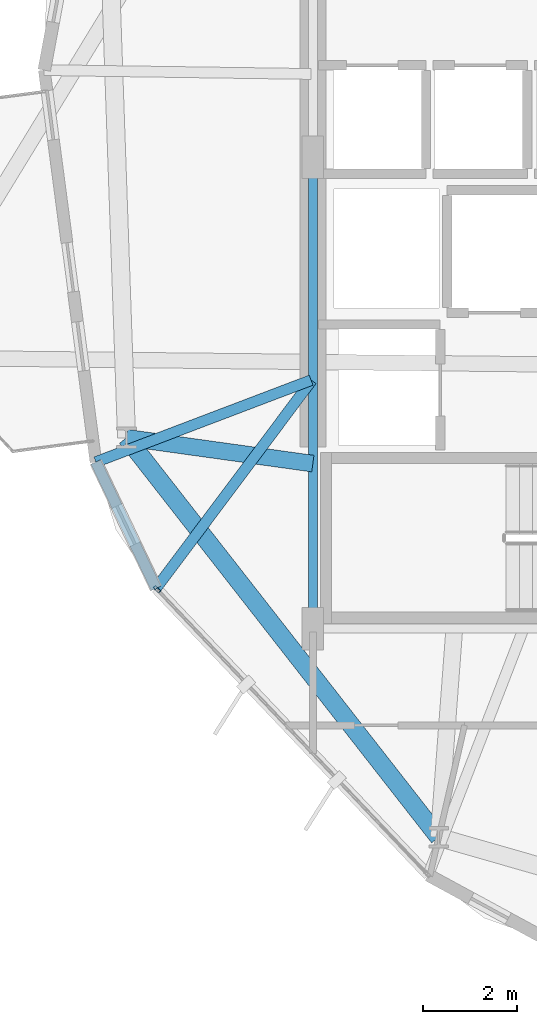
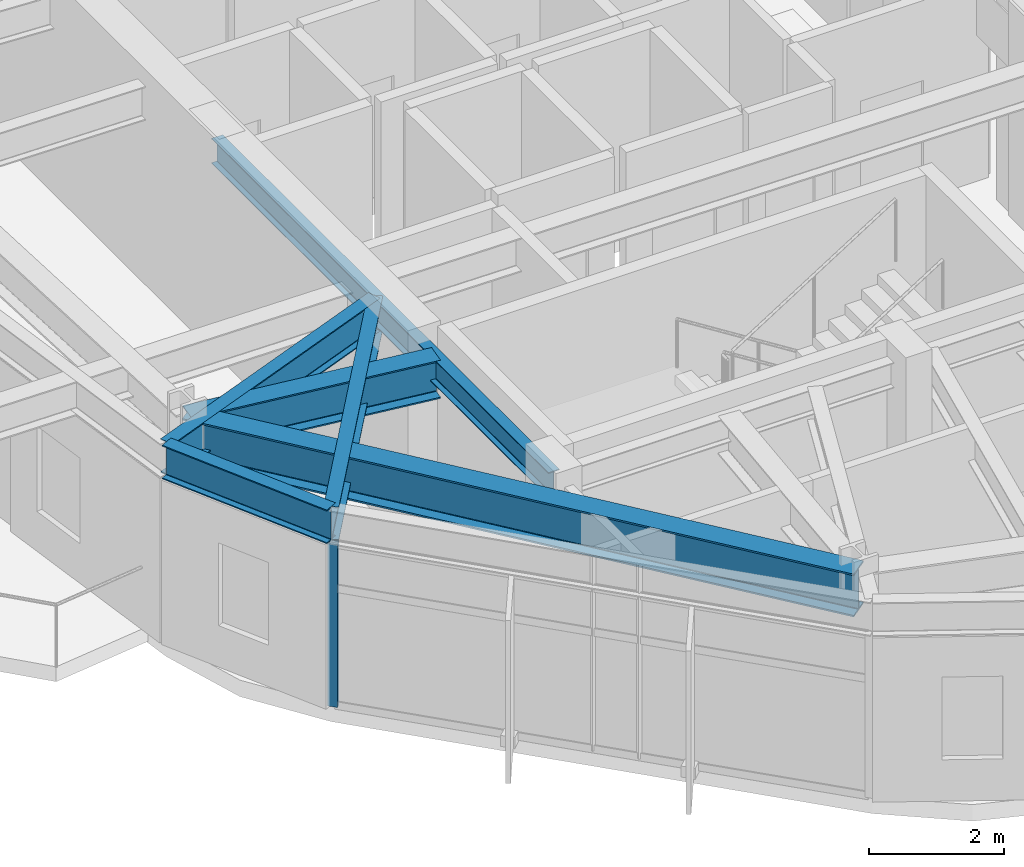
# One storey, part 3 of 25: 6 beams, 1 member, 1 element without a shape of its own.
"""IFC4 building model written with IfcOpenShell, lengths in metres."""

from ifc_helpers import new_model, si_unit, direction, frame, origin, origin_2d, place, context, subcontext, project, spatial, hollow_rectangle, i_section, extrude, material, layer, layer_set, material_profile, profile_set, type_object, element, aggregate, save


model = new_model("IFC4")

# Units and contexts
model_context = context("Model", 3, precision=1e-05, world=origin(), true_north=direction((0.0, 1.0)))
body_context = subcontext(model_context, "Body", "Model", "MODEL_VIEW")
ifc_project = project(units=[si_unit("LENGTHUNIT", "METRE"), si_unit("AREAUNIT", "SQUARE_METRE"), si_unit("VOLUMEUNIT", "CUBIC_METRE"), si_unit("PLANEANGLEUNIT", "RADIAN"), si_unit("MASSUNIT", "GRAM", prefix="KILO")], contexts=[model_context])

# Site, building, storey
site_placement = place(None, origin())
site = spatial("IfcSite", under=ifc_project, at=site_placement, CompositionType="ELEMENT")
building_placement = place(site_placement, origin())
building = spatial("IfcBuilding", under=site, at=building_placement, Name="Soratama Intermodal Tower", CompositionType="ELEMENT")
storey_placement = place(building_placement, frame((0.0, 0.0, 126.39990234375)))
storey = spatial("IfcBuildingStorey", under=building, at=storey_placement, Name="L30", CompositionType="ELEMENT", Elevation=126.39990234375)

# Beams
ifc_material_1 = material(Name="Structural steel ASTM A992 Grade 50", Category="steel")
ifc_material_profile_1 = material_profile(ifc_material_1, i_section(OverallWidth=0.19091796875, OverallDepth=0.4599609375, WebThickness=0.010009765625, FlangeThickness=0.01611328125, FilletRadius=0.010986328125, at=origin_2d()), Name="W18X55")
ifc_profile_set_1 = profile_set([ifc_material_profile_1], Name="Structural steel ASTM A992 Grade 50")
beam_type_1 = type_object("IfcBeamType", Name="BM-FLR-W18X55", PredefinedType="BEAM", material=ifc_profile_set_1)
beam_1_placement = place(storey_placement, frame((32.60009765625, 25.0, 3.3701171875), z_axis=(0.0, -1.0, 0.0), x_axis=(1.0, 0.0, 0.0)))
element("IfcBeam", 1, at=beam_1_placement, inside=storey, type_object=beam_type_1, Name="BM-L30-CRING-09", PredefinedType="BEAM", context=body_context, shape_type="SweptSolid", body=[
    extrude(i_section(OverallWidth=0.19091796875, OverallDepth=0.4599609375, WebThickness=0.010009765625, FlangeThickness=0.01611328125, FilletRadius=0.010986328125, at=origin_2d()), origin(), (0.0, 0.0, 1.0), 10.0),
])
ifc_material_2 = material(Name="Structural steel ASTM A992 Grade 50", Category="steel")
ifc_material_profile_2 = material_profile(ifc_material_2, i_section(OverallWidth=0.35498046875, OverallDepth=0.695068359375, WebThickness=0.015380859375, FlangeThickness=0.02490234375, FilletRadius=0.01611328125, at=origin_2d()), Name="W27X146")
ifc_profile_set_2 = profile_set([ifc_material_profile_2], Name="Structural steel ASTM A992 Grade 50")
beam_type_2 = type_object("IfcBeamType", Name="BM-RING-W27X146", PredefinedType="BEAM", material=ifc_profile_set_2)
beam_2_placement = place(storey_placement, frame((32.60009765625, 18.5, 3.252685546875), z_axis=(-0.990482077962, 0.137641756879, 0.0), x_axis=(-0.137641756879, -0.990482077962, 0.0)))
element("IfcBeam", 2, at=beam_2_placement, inside=storey, type_object=beam_type_2, Name="BM-L30-RAD-06", PredefinedType="BEAM", context=body_context, shape_type="SweptSolid", body=[
    extrude(i_section(OverallWidth=0.35498046875, OverallDepth=0.695068359375, WebThickness=0.015380859375, FlangeThickness=0.02490234375, FilletRadius=0.01611328125, at=origin_2d()), origin(), (0.0, 0.0, 1.0), 3.9892578125),
])
ifc_material_3 = material(Name="Structural steel ASTM A992 Grade 50", Category="steel")
ifc_material_profile_3 = material_profile(ifc_material_3, i_section(OverallWidth=0.382080078125, OverallDepth=0.779052734375, WebThickness=0.01806640625, FlangeThickness=0.030029296875, FilletRadius=0.01806640625, at=origin_2d()), Name="W30X191")
ifc_profile_set_3 = profile_set([ifc_material_profile_3], Name="Structural steel ASTM A992 Grade 50")
beam_type_3 = type_object("IfcBeamType", Name="BM-RING-W30X191", PredefinedType="BEAM", material=ifc_profile_set_3)
beam_3_placement = place(storey_placement, frame((28.64892578125, 19.049072265625, 3.210693359375), z_axis=(0.615683690883, -0.787993396407, 0.0), x_axis=(0.787993396407, 0.615683690883, 0.0)))
element("IfcBeam", 3, at=beam_3_placement, inside=storey, type_object=beam_type_3, Name="BM-L30-RING-06", PredefinedType="BEAM", context=body_context, shape_type="SweptSolid", body=[
    extrude(i_section(OverallWidth=0.382080078125, OverallDepth=0.779052734375, WebThickness=0.01806640625, FlangeThickness=0.030029296875, FilletRadius=0.01806640625, at=origin_2d()), origin(), (0.0, 0.0, 1.0), 10.754150390625),
])
ifc_material_4 = material(Name="Structural steel ASTM A992 Grade 50", Category="steel")
ifc_material_profile_4 = material_profile(ifc_material_4, i_section(OverallWidth=0.22900390625, OverallDepth=0.612060546875, WebThickness=0.011962890625, FlangeThickness=0.01953125, FilletRadius=0.012939453125, at=origin_2d()), Name="W24X84")
ifc_profile_set_4 = profile_set([ifc_material_profile_4], Name="Structural steel ASTM A992 Grade 50")
beam_type_4 = type_object("IfcBeamType", Name="BM-SPN-W24X84", PredefinedType="SPANDREL", material=ifc_profile_set_4)
beam_4_placement = place(storey_placement, frame((27.998046875, 18.533935546875, 3.294189453125), z_axis=(0.430380727032, -0.902647455987, 0.0), x_axis=(0.902647455987, 0.430380727032, 0.0)))
element("IfcBeam", 4, at=beam_4_placement, inside=storey, type_object=beam_type_4, Name="BS-L30-CRN05", PredefinedType="SPANDREL", context=body_context, shape_type="SweptSolid", body=[
    extrude(i_section(OverallWidth=0.22900390625, OverallDepth=0.612060546875, WebThickness=0.011962890625, FlangeThickness=0.01953125, FilletRadius=0.012939453125, at=origin_2d()), origin(), (0.0, 0.0, 1.0), 2.966796875),
])
ifc_material_5 = material(Name="Structural steel ASTM A992 Grade 50", Category="steel")
ifc_material_profile_5 = material_profile(ifc_material_5, i_section(OverallWidth=0.22900390625, OverallDepth=0.612060546875, WebThickness=0.011962890625, FlangeThickness=0.01953125, FilletRadius=0.012939453125, at=origin_2d()), Name="W24X84")
ifc_profile_set_5 = profile_set([ifc_material_profile_5], Name="Structural steel ASTM A992 Grade 50")
beam_type_5 = type_object("IfcBeamType", Name="BM-TIE-W24X84", PredefinedType="BEAM", material=ifc_profile_set_5)
beam_5_placement = place(storey_placement, frame((32.56298828125, 20.27001953125, 3.294189453125), z_axis=(-0.934687937522, -0.355469350931, 0.0), x_axis=(0.355469350931, -0.934687937522, 0.0)))
element("IfcBeam", 5, at=beam_5_placement, inside=storey, type_object=beam_type_5, Name="BM-L30-TIE1-05", PredefinedType="BEAM", context=body_context, shape_type="SweptSolid", body=[
    extrude(i_section(OverallWidth=0.22900390625, OverallDepth=0.612060546875, WebThickness=0.011962890625, FlangeThickness=0.01953125, FilletRadius=0.012939453125, at=origin_2d()), origin(), (0.0, 0.0, 1.0), 4.884033203125),
])
beam_6_placement = place(storey_placement, frame((32.575927734375, 20.264892578125, 3.294189453125), z_axis=(-0.599340215981, -0.800494413165, 0.0), x_axis=(0.800494413165, -0.599340215981, 0.0)))
element("IfcBeam", 6, at=beam_6_placement, inside=storey, type_object=beam_type_5, Name="BM-L30-TIE0-06", PredefinedType="BEAM", context=body_context, shape_type="SweptSolid", body=[
    extrude(i_section(OverallWidth=0.22900390625, OverallDepth=0.612060546875, WebThickness=0.011962890625, FlangeThickness=0.01953125, FilletRadius=0.012939453125, at=origin_2d()), origin(), (0.0, 0.0, 1.0), 5.5078125),
])

# Curtain wall, member
ifc_material_6 = material(Name="Double-glazed aluminium curtain wall", Category="aluminium")
ifc_layer = layer(ifc_material_6, 0.159912109375)
ifc_layer_set = layer_set([ifc_layer], Name="Double-glazed aluminium curtain wall")
curtain_wall_type = type_object("IfcCurtainWallType", Name="CW-SYS-3", PredefinedType="NOTDEFINED", material=ifc_layer_set)
curtain_wall_placement = place(storey_placement, origin())
curtain_wall = element("IfcCurtainWall", 7, at=curtain_wall_placement, inside=storey, type_object=curtain_wall_type, Name="L30 Faceted Curtain Wall F06", PredefinedType="NOTDEFINED")
ifc_material_7 = material(Name="Anodised aluminium AA 6063-T6", Category="aluminium")
ifc_material_profile_6 = material_profile(ifc_material_7, hollow_rectangle(XDim=0.070068359375, YDim=0.159912109375, WallThickness=0.0048828125, InnerFilletRadius=0.0048828125, OuterFilletRadius=0.010009765625, at=origin_2d()), Name="CWM160X70X5")
ifc_profile_set_6 = profile_set([ifc_material_profile_6], Name="Anodised aluminium AA 6063-T6")
member_type = type_object("IfcMemberType", Name="MT-CWM-3", PredefinedType="MULLION", material=ifc_profile_set_6)
member_placement = place(storey_placement, frame((29.29541015625, 15.834228515625, 0.0), z_axis=(0.0, 0.0, 1.0), x_axis=(0.725376951302, 0.688351856626, 0.0)))
member = element("IfcMember", 8, at=member_placement, type_object=member_type, Name="CW-3 mullion 1", PredefinedType="MULLION", context=body_context, shape_type="SweptSolid", body=[
    extrude(hollow_rectangle(XDim=0.070068359375, YDim=0.159912109375, WallThickness=0.0048828125, InnerFilletRadius=0.0048828125, OuterFilletRadius=0.010009765625, at=origin_2d()), origin(), (0.0, 0.0, 1.0), 2.97900390625),
])
aggregate(curtain_wall, [member])

save(model, "model.ifc")
